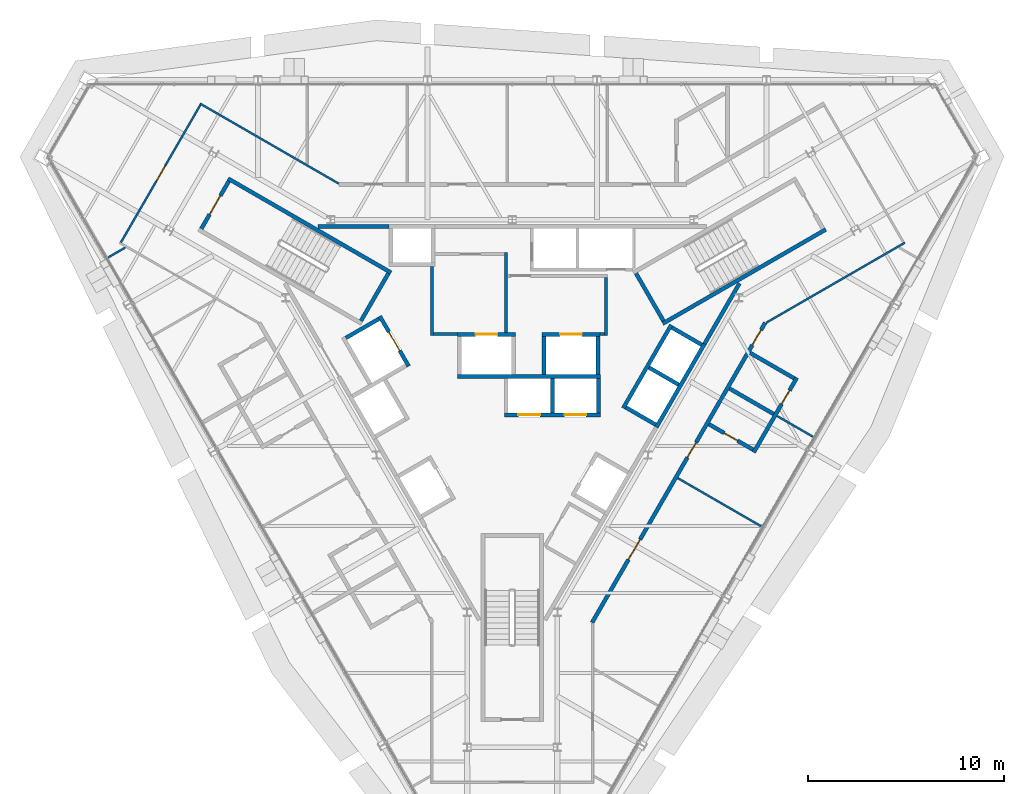
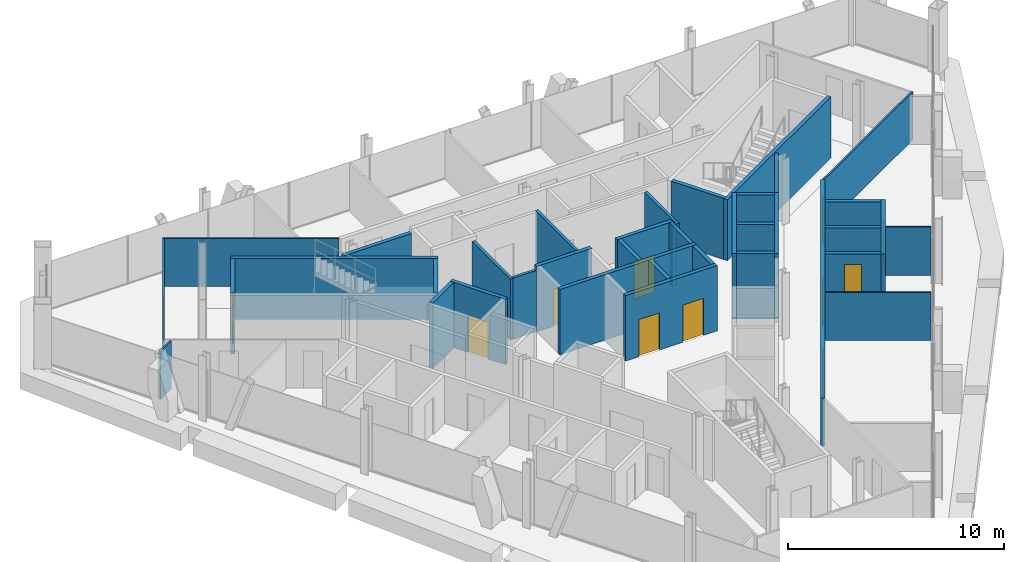
# One storey, part 10 of 13: 38 walls, 12 doors, 12 openings.
"""IFC4 building model written with IfcOpenShell, lengths in metres."""

import ifcopenshell
import ifcopenshell.guid

model = None  # the IFC model being written
_history = None  # IfcOwnerHistory: only IFC2X3 demands one
_inside = {}  # id of a spatial element -> (the spatial element, [elements in it])
_under = {}  # id of a project, library or spatial element -> (it, [spatial elements below it])
_declared = {}  # id of a project -> (the project, [libraries it declares])
_typed = {}  # id of a type object -> (the type object, [elements of that type])
_made_of = {}  # id of a material, layer set ... -> (it, [elements and type objects made of it])


def new_model(schema):
    """Start an empty IFC model of exactly this schema.

    Asked for "IFC4X3", IfcOpenShell would pick the latest addendum, in which some entities
    have other attributes; the version numbers below select the first issue.
    IFC2X3 requires an IfcOwnerHistory on every rooted entity: one is made here for all.
    """
    global model, _history
    if schema == "IFC4X3":
        model = ifcopenshell.file(schema_version=(4, 3, 0, 0))
    else:
        model = ifcopenshell.file(schema=schema)
    _inside.clear()
    _under.clear()
    _declared.clear()
    _typed.clear()
    _made_of.clear()
    _history = None
    if model.schema == "IFC2X3":
        org = make("IfcOrganization", Name="unknown")
        user = make(
            "IfcPersonAndOrganization",
            ThePerson=make("IfcPerson", FamilyName="unknown"),
            TheOrganization=org,
        )
        app = make(
            "IfcApplication",
            ApplicationDeveloper=org,
            Version="unknown",
            ApplicationFullName="unknown",
            ApplicationIdentifier="unknown",
        )
        _history = make(
            "IfcOwnerHistory",
            OwningUser=user,
            OwningApplication=app,
            ChangeAction="ADDED",
            CreationDate=0,
        )
    return model


def make(cls, **values):
    """One entity of the class cls with the attributes given. An attribute that is None is left unset."""
    return model.create_entity(
        cls, **{name: value for name, value in values.items() if value is not None}
    )


def rooted(cls, **values):
    """An entity with a GlobalId (a new one), such as an element, a storey or a relation."""
    return make(cls, GlobalId=ifcopenshell.guid.new(), OwnerHistory=_history, **values)


def si_unit(unit_type, name, prefix=None):
    """IfcSIUnit, for example si_unit("LENGTHUNIT", "METRE", prefix="MILLI")."""
    return make("IfcSIUnit", UnitType=unit_type, Prefix=prefix, Name=name)


def assignment(units):
    """IfcUnitAssignment: the units of a project."""
    return None if units is None else make("IfcUnitAssignment", Units=units)


def point(xyz):
    """IfcCartesianPoint."""
    return None if xyz is None else make("IfcCartesianPoint", Coordinates=xyz)


def direction(xyz):
    """IfcDirection."""
    return None if xyz is None else make("IfcDirection", DirectionRatios=xyz)


def frame(location, z_axis=None, x_axis=None):
    """IfcAxis2Placement3D, a coordinate frame: its origin and axes. An axis left out is left unset."""
    return make(
        "IfcAxis2Placement3D",
        Location=point(location),
        Axis=direction(z_axis),
        RefDirection=direction(x_axis),
    )


def frame_2d(location, x_axis=None):
    """IfcAxis2Placement2D, a coordinate frame in the plane: its origin and x axis."""
    return make(
        "IfcAxis2Placement2D", Location=point(location), RefDirection=direction(x_axis)
    )


def origin():
    """The frame at (0, 0, 0) with its axes left unset."""
    return frame((0.0, 0.0, 0.0))


def place(relative_to, where):
    """IfcLocalPlacement: puts the frame where relative to a parent placement (None: the world)."""
    return make(
        "IfcLocalPlacement", PlacementRelTo=relative_to, RelativePlacement=where
    )


def context(
    kind, dimensions, precision=None, world=None, true_north=None, identifier=None
):
    """IfcGeometricRepresentationContext, for example the 3D "Model" context."""
    return make(
        "IfcGeometricRepresentationContext",
        ContextIdentifier=identifier,
        ContextType=kind,
        CoordinateSpaceDimension=dimensions,
        Precision=precision,
        WorldCoordinateSystem=world,
        TrueNorth=true_north,
    )


def subcontext(parent, identifier, kind, view, scale=None):
    """IfcGeometricRepresentationSubContext, for example "Body" below "Model"."""
    return make(
        "IfcGeometricRepresentationSubContext",
        ContextIdentifier=identifier,
        ContextType=kind,
        ParentContext=parent,
        TargetScale=scale,
        TargetView=view,
    )


def project(units=None, contexts=None):
    """IfcProject with its units and contexts."""
    return rooted(
        "IfcProject",
        Name="project",
        RepresentationContexts=contexts,
        UnitsInContext=assignment(units),
    )


def spatial(cls, under=None, at=None, **own):
    """A site, building, storey or space (cls), placed at a placement, below another one or the project."""
    s = rooted(cls, ObjectPlacement=at, **own)
    if under is not None:
        _under.setdefault(under.id(), (under, []))[1].append(s)
    return s


def profile(cls, at=None, kind="AREA", **sizes):
    """A parametric profile (cls). Its sizes go by their IFC names, for example OverallWidth=200.0."""
    return make(cls, ProfileType=kind, Position=at, **sizes)


def rectangle(**sizes):
    """IfcRectangleProfileDef."""
    return profile("IfcRectangleProfileDef", **sizes)


def extrude(swept, where, along, depth):
    """IfcExtrudedAreaSolid: the profile swept, set in the frame where, extruded along a direction by depth."""
    return make(
        "IfcExtrudedAreaSolid",
        SweptArea=swept,
        Position=where,
        ExtrudedDirection=direction(along),
        Depth=depth,
    )


def shape(context_of_items, identifier, shape_type, items):
    """IfcShapeRepresentation: the items that make up one representation, for example the "Body"."""
    return make(
        "IfcShapeRepresentation",
        ContextOfItems=context_of_items,
        RepresentationIdentifier=identifier,
        RepresentationType=shape_type,
        Items=items,
    )


def material(Name=None, Category=None):
    """IfcMaterial."""
    return make("IfcMaterial", Name=Name, Category=Category)


def layer(
    of_material, thickness, ventilated=None, Name=None, Category=None, Priority=None
):
    """IfcMaterialLayer: one layer of a wall or slab, of a material (None: an air gap)."""
    return make(
        "IfcMaterialLayer",
        Material=of_material,
        LayerThickness=thickness,
        IsVentilated=ventilated,
        Name=Name,
        Category=Category,
        Priority=Priority,
    )


def layer_set(layers, Name=None):
    """IfcMaterialLayerSet."""
    return make("IfcMaterialLayerSet", MaterialLayers=layers, LayerSetName=Name)


def made_of(thing, what):
    """Note that an element or type object is made of a material, layer set ...; save() writes the relation."""
    if what is not None:
        _made_of.setdefault(what.id(), (what, []))[1].append(thing)
    return thing


def type_object(cls, material=None, **own):
    """A type object (cls), such as IfcWallType, which elements share."""
    return made_of(rooted(cls, **own), material)


def element(
    cls,
    number,
    at=None,
    inside=None,
    cuts=None,
    type_object=None,
    material=None,
    context=None,
    identifier="Body",
    shape_type=None,
    held_by="IfcProductDefinitionShape",
    body=None,
    shapes=None,
    **own,
):
    """One element of the class cls, such as IfcWall. Its Tag is "e" and its number.

    at: its placement. inside: the storey or other place that contains it. cuts: it is an
    opening in that element (IfcRelVoidsElement). A single representation is given by context,
    identifier, shape_type and body (its items); several are given by shapes. held_by: the class
    of the entity that holds the representations. save() writes the other relations.
    """
    e = rooted(cls, Tag="e%d" % number, ObjectPlacement=at, **own)
    if body is not None:
        shapes = [shape(context, identifier, shape_type, body)]
    if shapes is not None:
        e.Representation = make(held_by, Representations=shapes)
    if inside is not None:
        _inside.setdefault(inside.id(), (inside, []))[1].append(e)
    if cuts is not None:
        rooted(
            "IfcRelVoidsElement", RelatingBuildingElement=cuts, RelatedOpeningElement=e
        )
    if type_object is not None:
        _typed.setdefault(type_object.id(), (type_object, []))[1].append(e)
    return made_of(e, material)


def fill(opening, filler):
    """IfcRelFillsElement: the door or window that sits in an opening."""
    return rooted(
        "IfcRelFillsElement",
        RelatingOpeningElement=opening,
        RelatedBuildingElement=filler,
    )


def aggregate(whole, parts):
    """IfcRelAggregates: a whole, such as a stair, and the parts it consists of."""
    return rooted("IfcRelAggregates", RelatingObject=whole, RelatedObjects=parts)


def save(model, path):
    """Write the relations noted so far, then the file.

    IfcRelAggregates (storeys below a building ...), IfcRelContainedInSpatialStructure (elements
    in a storey), IfcRelDefinesByType, IfcRelAssociatesMaterial and IfcRelDeclares: one each for
    every whole, place, type object, material and project.
    """
    for whole, parts in _under.values():
        aggregate(whole, parts)
    for where, things in _inside.values():
        rooted(
            "IfcRelContainedInSpatialStructure",
            RelatedElements=things,
            RelatingStructure=where,
        )
    for kind, things in _typed.values():
        rooted("IfcRelDefinesByType", RelatedObjects=things, RelatingType=kind)
    for what, things in _made_of.values():
        rooted("IfcRelAssociatesMaterial", RelatedObjects=things, RelatingMaterial=what)
    for by, libraries in _declared.values():
        rooted("IfcRelDeclares", RelatingContext=by, RelatedDefinitions=libraries)
    model.write(path)


model = new_model("IFC4")

# Units and contexts
model_context = context("Model", 3, precision=1e-05, world=origin(), true_north=direction((0.0, 1.0)))
body_context = subcontext(model_context, "Body", "Model", "MODEL_VIEW")
ifc_project = project(units=[si_unit("LENGTHUNIT", "METRE"), si_unit("AREAUNIT", "SQUARE_METRE"), si_unit("VOLUMEUNIT", "CUBIC_METRE"), si_unit("PLANEANGLEUNIT", "RADIAN"), si_unit("MASSUNIT", "GRAM", prefix="KILO")], contexts=[model_context])

# Site, building, storey
site_placement = place(None, origin())
site = spatial("IfcSite", under=ifc_project, at=site_placement, CompositionType="ELEMENT")
building_placement = place(site_placement, origin())
building = spatial("IfcBuilding", under=site, at=building_placement, Name="Verrane Prism Tower", CompositionType="ELEMENT")
storey_placement = place(building_placement, frame((0.0, 0.0, 210.10009765625)))
storey = spatial("IfcBuildingStorey", under=building, at=storey_placement, Name="L52", CompositionType="ELEMENT", Elevation=210.10009765625)

# Walls
ifc_material_1 = material(Name="Gypsum board partition", Category="other")
ifc_layer_1 = layer(ifc_material_1, 0.199951171875)
ifc_layer_set_1 = layer_set([ifc_layer_1], Name="CW-200 core boundary wall 2 h")
wall_type_1 = type_object("IfcWallType", Name="CW-200 core boundary wall 2 h", PredefinedType="PARTITIONING", material=ifc_layer_set_1)
wall_1_placement = place(storey_placement, frame((-9.907958984375, 7.659912109375, 0.0), z_axis=(0.0, 0.0, 1.0), x_axis=(1.0, 0.0, 0.0)))
element("IfcWall", 1, at=wall_1_placement, inside=storey, type_object=wall_type_1, Name="Core boundary wall CW3-002", PredefinedType="PARTITIONING", context=body_context, shape_type="SweptSolid", body=[
    extrude(rectangle(XDim=3.620849609375, YDim=0.199951171875, at=frame_2d((1.810546875, 0.0))), origin(), (0.0, 0.0, 1.0), 3.449951171875),
])
wall_2_placement = place(storey_placement, frame((9.802978515625, 1.657958984375, 0.0), z_axis=(0.0, 0.0, 1.0), x_axis=(0.499943114462, 0.866058244174, 0.0)))
element("IfcWall", 2, at=wall_2_placement, inside=storey, type_object=wall_type_1, Name="Core boundary wall CW3-008", PredefinedType="PARTITIONING", context=body_context, shape_type="SweptSolid", body=[
    extrude(rectangle(XDim=3.57568359375, YDim=0.199951171875, at=frame_2d((1.787841796875, 0.0))), origin(), (0.0, 0.0, 1.0), 3.449951171875),
])
ifc_material_2 = material(Name="Concrete C40/50", Category="concrete")
ifc_layer_2 = layer(ifc_material_2, 0.199951171875)
ifc_layer_set_2 = layer_set([ifc_layer_2], Name="CW-200 stair core wall concrete C40/50 3 h")
wall_type_2 = type_object("IfcWallType", Name="CW-200 stair core wall concrete C40/50 3 h", PredefinedType="PARTITIONING", material=ifc_layer_set_2)
wall_3_placement = place(storey_placement, frame((7.67822265625, 2.700927734375, 0.0), z_axis=(0.0, 0.0, 1.0), x_axis=(0.866019993635, 0.500009370536, 0.0)))
element("IfcWall", 3, at=wall_3_placement, inside=storey, type_object=wall_type_2, Name="Stair 1 enclosure wall", PredefinedType="PARTITIONING", context=body_context, shape_type="SweptSolid", body=[
    extrude(rectangle(XDim=9.599853515625, YDim=0.199951171875, at=frame_2d((4.7998046875, 0.0))), origin(), (0.0, 0.0, 1.0), 3.449951171875),
])
wall_4_placement = place(storey_placement, frame((7.71484375, 2.837646484375, 0.0), z_axis=(0.0, 0.0, 1.0), x_axis=(-0.500049511043, 0.865996816683, 0.0)))
element("IfcWall", 4, at=wall_4_placement, inside=storey, type_object=wall_type_2, Name="Stair 1 enclosure wall", PredefinedType="PARTITIONING", context=body_context, shape_type="SweptSolid", body=[
    extrude(rectangle(XDim=2.800048828125, YDim=0.199951171875, at=frame_2d((1.39990234375, 0.0))), origin(), (0.0, 0.0, 1.0), 3.449951171875),
])

# Wall, opening, door
wall_5_placement = place(storey_placement, frame((-14.455322265625, 9.96240234375, 0.0), z_axis=(0.0, 0.0, 1.0), x_axis=(-0.500049511043, -0.865996816683, 0.0)))
wall_5 = element("IfcWall", 5, at=wall_5_placement, inside=storey, type_object=wall_type_2, Name="Stair 2 enclosure wall", PredefinedType="PARTITIONING", context=body_context, shape_type="SweptSolid", body=[
    extrude(rectangle(XDim=2.800048828125, YDim=0.199951171875, at=frame_2d((1.39990234375, 0.0))), origin(), (0.0, 0.0, 1.0), 3.449951171875),
])
opening_1_placement = place(wall_5_placement, frame((0.849853515625, 0.0, 0.0)))
opening_1 = element("IfcOpeningElement", 6, at=opening_1_placement, cuts=wall_5, Name="Opening D51501", PredefinedType="OPENING", context=body_context, shape_type="SweptSolid", body=[
    extrude(rectangle(XDim=1.10009765625, YDim=2.10009765625, at=frame_2d((0.550048828125, 1.050048828125))), frame((0.0, 0.10986328125, 0.0), z_axis=(0.0, -1.0, 0.0), x_axis=(1.0, 0.0, 0.0)), (0.0, 0.0, 1.0), 0.219970703125),
])
ifc_material_3 = material(Name="Timber veneered door leaf", Category="wood")
door_type_1 = type_object("IfcDoorType", Name="DR-1100x2100 FD90 single leaf stair", OperationType="NOTDEFINED", PredefinedType="DOOR", material=ifc_material_3)
door_1_placement = place(opening_1_placement, origin())
door_1 = element("IfcDoor", 7, at=door_1_placement, inside=storey, type_object=door_type_1, Name="Stair 2 door", OperationType="SINGLE_SWING_RIGHT", OverallHeight=2.10009765625, OverallWidth=1.10009765625, PredefinedType="DOOR", context=body_context, shape_type="SweptSolid", body=[
    extrude(rectangle(XDim=1.10009765625, YDim=2.10009765625, at=frame_2d((0.550048828125, 1.050048828125))), frame((0.0, 0.02490234375, 0.0), z_axis=(0.0, -1.0, 0.0), x_axis=(1.0, 0.0, 0.0)), (0.0, 0.0, 1.0), 0.050048828125),
])
fill(opening_1, door_1)

# Walls
wall_6_placement = place(storey_placement, frame((-6.17822265625, 5.299072265625, 0.0), z_axis=(0.0, 0.0, 1.0), x_axis=(-0.866019993635, 0.500009370536, 0.0)))
element("IfcWall", 8, at=wall_6_placement, inside=storey, type_object=wall_type_2, Name="Stair 2 enclosure wall", PredefinedType="PARTITIONING", context=body_context, shape_type="SweptSolid", body=[
    extrude(rectangle(XDim=9.599853515625, YDim=0.199951171875, at=frame_2d((4.7998046875, 0.0))), origin(), (0.0, 0.0, 1.0), 3.449951171875),
])
wall_7_placement = place(storey_placement, frame((-6.314697265625, 5.262451171875, 0.0), z_axis=(0.0, 0.0, 1.0), x_axis=(-0.500049511043, -0.865996816683, 0.0)))
element("IfcWall", 9, at=wall_7_placement, inside=storey, type_object=wall_type_2, Name="Stair 2 enclosure wall", PredefinedType="PARTITIONING", context=body_context, shape_type="SweptSolid", body=[
    extrude(rectangle(XDim=2.800048828125, YDim=0.199951171875, at=frame_2d((1.39990234375, 0.0))), origin(), (0.0, 0.0, 1.0), 3.449951171875),
])

# Wall, openings, doors
ifc_material_4 = material(Name="Gypsum board shaft wall assembly", Category="other")
ifc_layer_3 = layer(ifc_material_4, 0.199951171875)
ifc_layer_set_3 = layer_set([ifc_layer_3], Name="HW-200 lift shaft wall 2 h")
wall_type_3 = type_object("IfcWallType", Name="HW-200 lift shaft wall 2 h", PredefinedType="PARTITIONING", material=ifc_layer_set_3)
wall_8_placement = place(storey_placement, frame((-0.405029296875, -1.949951171875, 0.0), z_axis=(0.0, 0.0, 1.0), x_axis=(1.0, 0.0, 0.0)))
wall_8 = element("IfcWall", 10, at=wall_8_placement, inside=storey, type_object=wall_type_3, Name="Lift shaft wall", PredefinedType="PARTITIONING", context=body_context, shape_type="SweptSolid", body=[
    extrude(rectangle(XDim=4.900146484375, YDim=0.199951171875, at=frame_2d((2.4501953125, 0.0))), origin(), (0.0, 0.0, 1.0), 3.699951171875),
])
opening_2_placement = place(wall_8_placement, frame((0.72509765625, 0.0, 0.0)))
opening_2 = element("IfcOpeningElement", 11, at=opening_2_placement, cuts=wall_8, Name="Opening D51503", PredefinedType="OPENING", context=body_context, shape_type="SweptSolid", body=[
    extrude(rectangle(XDim=1.10009765625, YDim=2.10009765625, at=frame_2d((0.550048828125, 1.050048828125))), frame((0.0, 0.10986328125, 0.0), z_axis=(0.0, -1.0, 0.0), x_axis=(1.0, 0.0, 0.0)), (0.0, 0.0, 1.0), 0.219970703125),
])
opening_3_placement = place(wall_8_placement, frame((3.074951171875, 0.0, 0.0)))
opening_3 = element("IfcOpeningElement", 12, at=opening_3_placement, cuts=wall_8, Name="Opening D51504", PredefinedType="OPENING", context=body_context, shape_type="SweptSolid", body=[
    extrude(rectangle(XDim=1.10009765625, YDim=2.10009765625, at=frame_2d((0.550048828125, 1.050048828125))), frame((0.0, 0.10986328125, 0.0), z_axis=(0.0, -1.0, 0.0), x_axis=(1.0, 0.0, 0.0)), (0.0, 0.0, 1.0), 0.219970703125),
])
ifc_material_5 = material(Name="Stainless steel sliding landing door", Category="steel")
door_type_2 = type_object("IfcDoorType", Name="LD-1100x2100 lift landing door FD90 sliding", OperationType="NOTDEFINED", PredefinedType="DOOR", material=ifc_material_5)
door_2_placement = place(opening_2_placement, origin())
door_2 = element("IfcDoor", 13, at=door_2_placement, inside=storey, type_object=door_type_2, Name="Bank B lift 1 landing door", OperationType="SLIDING_TO_LEFT", OverallHeight=2.10009765625, OverallWidth=1.10009765625, PredefinedType="DOOR", context=body_context, shape_type="SweptSolid", body=[
    extrude(rectangle(XDim=1.10009765625, YDim=2.10009765625, at=frame_2d((0.550048828125, 1.050048828125))), frame((0.0, 0.02490234375, 0.0), z_axis=(0.0, -1.0, 0.0), x_axis=(1.0, 0.0, 0.0)), (0.0, 0.0, 1.0), 0.050048828125),
])
fill(opening_2, door_2)
door_3_placement = place(opening_3_placement, origin())
door_3 = element("IfcDoor", 14, at=door_3_placement, inside=storey, type_object=door_type_2, Name="Bank B lift 2 landing door", OperationType="SLIDING_TO_RIGHT", OverallHeight=2.10009765625, OverallWidth=1.10009765625, PredefinedType="DOOR", context=body_context, shape_type="SweptSolid", body=[
    extrude(rectangle(XDim=1.10009765625, YDim=2.10009765625, at=frame_2d((0.550048828125, 1.050048828125))), frame((0.0, 0.02490234375, 0.0), z_axis=(0.0, -1.0, 0.0), x_axis=(1.0, 0.0, 0.0)), (0.0, 0.0, 1.0), 0.050048828125),
])
fill(opening_3, door_3)

# Wall
wall_9_placement = place(storey_placement, frame((-2.784912109375, 0.0, 0.0), z_axis=(0.0, 0.0, 1.0), x_axis=(1.0, 0.0, 0.0)))
element("IfcWall", 15, at=wall_9_placement, inside=storey, type_object=wall_type_3, Name="Lift shaft wall", PredefinedType="PARTITIONING", context=body_context, shape_type="SweptSolid", body=[
    extrude(rectangle(XDim=7.280029296875, YDim=0.199951171875, at=frame_2d((3.64013671875, 0.0))), origin(), (0.0, 0.0, 1.0), 3.699951171875),
])

# Wall, opening, door
wall_10_placement = place(storey_placement, frame((-2.784912109375, 2.14990234375, 0.0), z_axis=(0.0, 0.0, 1.0), x_axis=(1.0, 0.0, 0.0)))
wall_10 = element("IfcWall", 16, at=wall_10_placement, inside=storey, type_object=wall_type_3, Name="Lift shaft wall", PredefinedType="PARTITIONING", context=body_context, shape_type="SweptSolid", body=[
    extrude(rectangle(XDim=2.949951171875, YDim=0.199951171875, at=frame_2d((1.47509765625, 0.0))), origin(), (0.0, 0.0, 1.0), 3.699951171875),
])
opening_4_placement = place(wall_10_placement, frame((0.925048828125, 0.0, 0.0)))
opening_4 = element("IfcOpeningElement", 17, at=opening_4_placement, cuts=wall_10, Name="Opening D51507", PredefinedType="OPENING", context=body_context, shape_type="SweptSolid", body=[
    extrude(rectangle(XDim=1.10009765625, YDim=2.10009765625, at=frame_2d((0.550048828125, 1.050048828125))), frame((0.0, 0.10986328125, 0.0), z_axis=(0.0, -1.0, 0.0), x_axis=(1.0, 0.0, 0.0)), (0.0, 0.0, 1.0), 0.219970703125),
])
door_4_placement = place(opening_4_placement, origin())
door_4 = element("IfcDoor", 18, at=door_4_placement, inside=storey, type_object=door_type_2, Name="Fire service lift 1 landing door", OperationType="SLIDING_TO_LEFT", OverallHeight=2.10009765625, OverallWidth=1.10009765625, PredefinedType="DOOR", context=body_context, shape_type="SweptSolid", body=[
    extrude(rectangle(XDim=1.10009765625, YDim=2.10009765625, at=frame_2d((0.550048828125, 1.050048828125))), frame((0.0, 0.02490234375, 0.0), z_axis=(0.0, -1.0, 0.0), x_axis=(1.0, 0.0, 0.0)), (0.0, 0.0, 1.0), 0.050048828125),
])
fill(opening_4, door_4)

wall_11_placement = place(storey_placement, frame((1.52490234375, 2.14990234375, 0.0), z_axis=(0.0, 0.0, 1.0), x_axis=(1.0, 0.0, 0.0)))
wall_11 = element("IfcWall", 19, at=wall_11_placement, inside=storey, type_object=wall_type_3, Name="Lift shaft wall", PredefinedType="PARTITIONING", context=body_context, shape_type="SweptSolid", body=[
    extrude(rectangle(XDim=2.9501953125, YDim=0.199951171875, at=frame_2d((1.47509765625, 0.0))), origin(), (0.0, 0.0, 1.0), 3.699951171875),
])
opening_5_placement = place(wall_11_placement, frame((0.925048828125, 0.0, 0.0)))
opening_5 = element("IfcOpeningElement", 20, at=opening_5_placement, cuts=wall_11, Name="Opening D51508", PredefinedType="OPENING", context=body_context, shape_type="SweptSolid", body=[
    extrude(rectangle(XDim=1.10009765625, YDim=2.10009765625, at=frame_2d((0.550048828125, 1.050048828125))), frame((0.0, 0.10986328125, 0.0), z_axis=(0.0, -1.0, 0.0), x_axis=(1.0, 0.0, 0.0)), (0.0, 0.0, 1.0), 0.219970703125),
])
door_5_placement = place(opening_5_placement, origin())
door_5 = element("IfcDoor", 21, at=door_5_placement, inside=storey, type_object=door_type_2, Name="Fire service lift 2 landing door", OperationType="SLIDING_TO_RIGHT", OverallHeight=2.10009765625, OverallWidth=1.10009765625, PredefinedType="DOOR", context=body_context, shape_type="SweptSolid", body=[
    extrude(rectangle(XDim=1.10009765625, YDim=2.10009765625, at=frame_2d((0.550048828125, 1.050048828125))), frame((0.0, 0.02490234375, 0.0), z_axis=(0.0, -1.0, 0.0), x_axis=(1.0, 0.0, 0.0)), (0.0, 0.0, 1.0), 0.050048828125),
])
fill(opening_5, door_5)

# Walls
wall_12_placement = place(storey_placement, frame((-8.48046875, 1.968505859375, 0.0), z_axis=(0.0, 0.0, 1.0), x_axis=(0.866000020948, 0.500043961785, 0.0)))
element("IfcWall", 22, at=wall_12_placement, inside=storey, type_object=wall_type_3, Name="Lift shaft wall", PredefinedType="PARTITIONING", context=body_context, shape_type="SweptSolid", body=[
    extrude(rectangle(XDim=1.949951171875, YDim=0.199951171875, at=frame_2d((0.97509765625, 0.0))), origin(), (0.0, 0.0, 1.0), 3.699951171875),
])
wall_13_placement = place(storey_placement, frame((7.351318359375, -2.587158203125, 0.0), z_axis=(0.0, 0.0, 1.0), x_axis=(0.500002801628, 0.866023786258, 0.0)))
element("IfcWall", 23, at=wall_13_placement, inside=storey, type_object=wall_type_3, Name="Lift shaft wall", PredefinedType="PARTITIONING", context=body_context, shape_type="SweptSolid", body=[
    extrude(rectangle(XDim=4.89990234375, YDim=0.199951171875, at=frame_2d((2.449951171875, 0.0))), origin(), (0.0, 0.0, 1.0), 3.699951171875),
])
wall_14_placement = place(storey_placement, frame((5.66259765625, -1.6123046875, 0.0), z_axis=(0.0, 0.0, 1.0), x_axis=(0.49998122708, 0.866036242063, 0.0)))
element("IfcWall", 24, at=wall_14_placement, inside=storey, type_object=wall_type_3, Name="Lift shaft wall", PredefinedType="PARTITIONING", context=body_context, shape_type="SweptSolid", body=[
    extrude(rectangle(XDim=4.900146484375, YDim=0.199951171875, at=frame_2d((2.4501953125, 0.0))), origin(), (0.0, 0.0, 1.0), 3.699951171875),
])
wall_15_placement = place(storey_placement, frame((4.39501953125, -1.85009765625, 0.0), z_axis=(0.0, 0.0, 1.0), x_axis=(0.0, 1.0, 0.0)))
element("IfcWall", 25, at=wall_15_placement, inside=storey, type_object=wall_type_3, Name="Lift shaft wall", PredefinedType="PARTITIONING", context=body_context, shape_type="SweptSolid", body=[
    extrude(rectangle(XDim=1.75, YDim=0.199951171875, at=frame_2d((0.875, 0.0))), origin(), (0.0, 0.0, 1.0), 3.699951171875),
])
wall_16_placement = place(storey_placement, frame((4.375, 0.10009765625, 0.0), z_axis=(0.0, 0.0, 1.0), x_axis=(0.0, 1.0, 0.0)))
element("IfcWall", 26, at=wall_16_placement, inside=storey, type_object=wall_type_3, Name="Lift shaft wall", PredefinedType="PARTITIONING", context=body_context, shape_type="SweptSolid", body=[
    extrude(rectangle(XDim=1.949951171875, YDim=0.199951171875, at=frame_2d((0.97509765625, 0.0))), origin(), (0.0, 0.0, 1.0), 3.699951171875),
])
wall_17_placement = place(storey_placement, frame((2.044921875, -1.85009765625, 0.0), z_axis=(0.0, 0.0, 1.0), x_axis=(0.0, 1.0, 0.0)))
element("IfcWall", 27, at=wall_17_placement, inside=storey, type_object=wall_type_3, Name="Lift shaft wall", PredefinedType="PARTITIONING", context=body_context, shape_type="SweptSolid", body=[
    extrude(rectangle(XDim=1.75, YDim=0.199951171875, at=frame_2d((0.875, 0.0))), origin(), (0.0, 0.0, 1.0), 3.699951171875),
])
wall_18_placement = place(storey_placement, frame((1.625, 0.10009765625, 0.0), z_axis=(0.0, 0.0, 1.0), x_axis=(0.0, 1.0, 0.0)))
element("IfcWall", 28, at=wall_18_placement, inside=storey, type_object=wall_type_3, Name="Lift shaft wall", PredefinedType="PARTITIONING", context=body_context, shape_type="SweptSolid", body=[
    extrude(rectangle(XDim=1.949951171875, YDim=0.199951171875, at=frame_2d((0.97509765625, 0.0))), origin(), (0.0, 0.0, 1.0), 3.699951171875),
])

# Wall, opening, door
wall_19_placement = place(storey_placement, frame((-5.280029296875, 0.525390625, 0.0), z_axis=(0.0, 0.0, 1.0), x_axis=(-0.500037662692, 0.866003658127, 0.0)))
wall_19 = element("IfcWall", 29, at=wall_19_placement, inside=storey, type_object=wall_type_3, Name="Lift shaft wall", PredefinedType="PARTITIONING", context=body_context, shape_type="SweptSolid", body=[
    extrude(rectangle(XDim=2.949951171875, YDim=0.199951171875, at=frame_2d((1.47509765625, 0.0))), origin(), (0.0, 0.0, 1.0), 3.699951171875),
])
opening_6_placement = place(wall_19_placement, frame((0.925048828125, 0.0, 0.0)))
opening_6 = element("IfcOpeningElement", 30, at=opening_6_placement, cuts=wall_19, Name="Opening D51509", PredefinedType="OPENING", context=body_context, shape_type="SweptSolid", body=[
    extrude(rectangle(XDim=1.10009765625, YDim=2.10009765625, at=frame_2d((0.550048828125, 1.050048828125))), frame((0.0, 0.10986328125, 0.0), z_axis=(0.0, -1.0, 0.0), x_axis=(1.0, 0.0, 0.0)), (0.0, 0.0, 1.0), 0.219970703125),
])
door_6_placement = place(opening_6_placement, origin())
door_6 = element("IfcDoor", 31, at=door_6_placement, inside=storey, type_object=door_type_2, Name="Service lift 1 landing door", OperationType="SLIDING_TO_LEFT", OverallHeight=2.10009765625, OverallWidth=1.10009765625, PredefinedType="DOOR", context=body_context, shape_type="SweptSolid", body=[
    extrude(rectangle(XDim=1.10009765625, YDim=2.10009765625, at=frame_2d((0.550048828125, 1.050048828125))), frame((0.0, 0.02490234375, 0.0), z_axis=(0.0, -1.0, 0.0), x_axis=(1.0, 0.0, 0.0)), (0.0, 0.0, 1.0), 0.050048828125),
])
fill(opening_6, door_6)

# Walls
wall_20_placement = place(storey_placement, frame((9.66455078125, 1.61962890625, 0.0), z_axis=(0.0, 0.0, 1.0), x_axis=(-0.866002029911, 0.500040482552, 0.0)))
element("IfcWall", 32, at=wall_20_placement, inside=storey, type_object=wall_type_3, Name="Lift shaft wall", PredefinedType="PARTITIONING", context=body_context, shape_type="SweptSolid", body=[
    extrude(rectangle(XDim=1.749755859375, YDim=0.199951171875, at=frame_2d((0.875, 0.0))), origin(), (0.0, 0.0, 1.0), 3.699951171875),
])
for number, where, z_axis, x_axis, name in (
    (33, (8.48974609375, -0.41552734375, 0.0), (0.0, 0.0, 1.0), (-0.866036909293, 0.499980071345, 0.0), "Lift shaft wall"),
    (34, (7.314697265625, -2.45068359375, 0.0), (0.0, 0.0, 1.0), (-0.866036909293, 0.499980071345, 0.0), "Lift shaft wall"),
):
    element("IfcWall", number, at=place(storey_placement, frame(where, z_axis=z_axis, x_axis=x_axis)), inside=storey, type_object=wall_type_3, Name=name, PredefinedType="PARTITIONING", context=body_context, shape_type="SweptSolid", body=[
        extrude(rectangle(XDim=1.75, YDim=0.199951171875, at=frame_2d((0.875, 0.0))), origin(), (0.0, 0.0, 1.0), 3.699951171875),
    ])
ifc_material_6 = material(Name="Gypsum board partition", Category="other")
ifc_layer_4 = layer(ifc_material_6, 0.14990234375)
ifc_layer_set_4 = layer_set([ifc_layer_4], Name="LF-150 firefighting lobby wall 1 h")
wall_type_4 = type_object("IfcWallType", Name="LF-150 firefighting lobby wall 1 h", PredefinedType="PARTITIONING", material=ifc_layer_set_4)
wall_21_placement = place(storey_placement, frame((-4.10009765625, 2.0849609375, 0.0), z_axis=(0.0, 0.0, 1.0), x_axis=(0.0, 1.0, 0.0)))
element("IfcWall", 35, at=wall_21_placement, inside=storey, type_object=wall_type_4, Name="Firefighting lobby wall LF1-001", PredefinedType="PARTITIONING", context=body_context, shape_type="SweptSolid", body=[
    extrude(rectangle(XDim=3.52294921875, YDim=0.14990234375, at=frame_2d((1.761474609375, 0.0))), origin(), (0.0, 0.0, 1.0), 3.449951171875),
])
wall_22_placement = place(storey_placement, frame((-4.02490234375, 2.159912109375, 0.0), z_axis=(0.0, 0.0, 1.0), x_axis=(1.0, 0.0, 0.0)))
element("IfcWall", 36, at=wall_22_placement, inside=storey, type_object=wall_type_4, Name="Firefighting lobby wall LF1-002", PredefinedType="PARTITIONING", context=body_context, shape_type="SweptSolid", body=[
    extrude(rectangle(XDim=1.23779296875, YDim=0.14990234375, at=frame_2d((0.618896484375, 0.0))), origin(), (0.0, 0.0, 1.0), 3.449951171875),
])
wall_23_placement = place(storey_placement, frame((-0.320068359375, 2.251953125, 0.0), z_axis=(0.0, 0.0, 1.0), x_axis=(0.0, 1.0, 0.0)))
element("IfcWall", 37, at=wall_23_placement, inside=storey, type_object=wall_type_4, Name="Firefighting lobby wall LF1-004", PredefinedType="PARTITIONING", context=body_context, shape_type="SweptSolid", body=[
    extrude(rectangle(XDim=4.06298828125, YDim=0.14990234375, at=frame_2d((2.031494140625, 0.0))), origin(), (0.0, 0.0, 1.0), 3.449951171875),
])
wall_24_placement = place(storey_placement, frame((4.47705078125, 2.159912109375, 0.0), z_axis=(0.0, 0.0, 1.0), x_axis=(1.0, 0.0, 0.0)))
element("IfcWall", 38, at=wall_24_placement, inside=storey, type_object=wall_type_4, Name="Firefighting lobby wall LF1-006", PredefinedType="PARTITIONING", context=body_context, shape_type="SweptSolid", body=[
    extrude(rectangle(XDim=0.238037109375, YDim=0.14990234375, at=frame_2d((0.119140625, 0.0))), origin(), (0.0, 0.0, 1.0), 3.449951171875),
])
wall_25_placement = place(storey_placement, frame((4.7900390625, 2.0849609375, 0.0), z_axis=(0.0, 0.0, 1.0), x_axis=(0.0, 1.0, 0.0)))
element("IfcWall", 39, at=wall_25_placement, inside=storey, type_object=wall_type_4, Name="Firefighting lobby wall LF1-007", PredefinedType="PARTITIONING", context=body_context, shape_type="SweptSolid", body=[
    extrude(rectangle(XDim=2.97998046875, YDim=0.14990234375, at=frame_2d((1.489990234375, 0.0))), origin(), (0.0, 0.0, 1.0), 3.449951171875),
])
ifc_material_7 = material(Name="Gypsum board partition", Category="other")
ifc_layer_5 = layer(ifc_material_7, 0.10009765625)
ifc_layer_set_5 = layer_set([ifc_layer_5], Name="PW-100 room partition")
wall_type_5 = type_object("IfcWallType", Name="PW-100 room partition", PredefinedType="PARTITIONING", material=ifc_layer_set_5)
wall_26_placement = place(storey_placement, frame((-20.603515625, 6.076171875, 0.0), z_axis=(0.0, 0.0, 1.0), x_axis=(0.865855657918, 0.500293893279, 0.0)))
element("IfcWall", 40, at=wall_26_placement, inside=storey, type_object=wall_type_5, Name="Room partition 001", PredefinedType="PARTITIONING", context=body_context, shape_type="SweptSolid", body=[
    extrude(rectangle(XDim=0.99853515625, YDim=0.10009765625, at=frame_2d((0.499267578125, 0.0))), origin(), (0.0, 0.0, 1.0), 2.712890625),
])

# Wall, opening, door
wall_27_placement = place(storey_placement, frame((-19.955078125, 6.84423828125, 0.0), z_axis=(0.0, 0.0, 1.0), x_axis=(0.500415732313, 0.865785247537, 0.0)))
wall_27 = element("IfcWall", 41, at=wall_27_placement, inside=storey, type_object=wall_type_5, Name="Room partition 002", PredefinedType="PARTITIONING", context=body_context, shape_type="SweptSolid", body=[
    extrude(rectangle(XDim=8.09716796875, YDim=0.10009765625, at=frame_2d((4.048583984375, 0.0))), origin(), (0.0, 0.0, 1.0), 2.712890625),
])
opening_7_placement = place(wall_27_placement, frame((3.60009765625, 0.0, 0.0)))
opening_7 = element("IfcOpeningElement", 42, at=opening_7_placement, cuts=wall_27, Name="Opening D51013", PredefinedType="OPENING", context=body_context, shape_type="SweptSolid", body=[
    extrude(rectangle(XDim=0.89990234375, YDim=2.10009765625, at=frame_2d((0.449951171875, 1.050048828125))), frame((0.0, 0.06005859375, 0.0), z_axis=(0.0, -1.0, 0.0), x_axis=(1.0, 0.0, 0.0)), (0.0, 0.0, 1.0), 0.1201171875),
])
ifc_material_8 = material(Name="Timber veneered door leaf", Category="wood")
door_type_3 = type_object("IfcDoorType", Name="DR-900x2100 single leaf unit", OperationType="NOTDEFINED", PredefinedType="DOOR", material=ifc_material_8)
door_7_placement = place(opening_7_placement, origin())
door_7 = element("IfcDoor", 43, at=door_7_placement, inside=storey, type_object=door_type_3, Name="Study door", OperationType="SINGLE_SWING_LEFT", OverallHeight=2.10009765625, OverallWidth=0.89990234375, PredefinedType="DOOR", context=body_context, shape_type="SweptSolid", body=[
    extrude(rectangle(XDim=0.89990234375, YDim=2.10009765625, at=frame_2d((0.449951171875, 1.050048828125))), frame((0.0, 0.02490234375, 0.0), z_axis=(0.0, -1.0, 0.0), x_axis=(1.0, 0.0, 0.0)), (0.0, 0.0, 1.0), 0.050048828125),
])
fill(opening_7, door_7)

# Walls
wall_28_placement = place(storey_placement, frame((-15.92138671875, 13.923095703125, 0.0), z_axis=(0.0, 0.0, 1.0), x_axis=(0.866088973199, -0.499889878377, 0.0)))
element("IfcWall", 44, at=wall_28_placement, inside=storey, type_object=wall_type_5, Name="Room partition 005", PredefinedType="PARTITIONING", context=body_context, shape_type="SweptSolid", body=[
    extrude(rectangle(XDim=8.162841796875, YDim=0.10009765625, at=frame_2d((4.08154296875, 0.0))), origin(), (0.0, 0.0, 1.0), 2.712890625),
])
wall_29_placement = place(storey_placement, frame((8.447021484375, -5.182373046875, 0.0), z_axis=(0.0, 0.0, 1.0), x_axis=(0.866106755222, -0.499859068697, 0.0)))
element("IfcWall", 45, at=wall_29_placement, inside=storey, type_object=wall_type_5, Name="Room partition 030", PredefinedType="PARTITIONING", context=body_context, shape_type="SweptSolid", body=[
    extrude(rectangle(XDim=4.89892578125, YDim=0.10009765625, at=frame_2d((2.449462890625, 0.0))), origin(), (0.0, 0.0, 1.0), 2.712890625),
])
wall_30_placement = place(storey_placement, frame((12.95166015625, 2.744384765625, 0.0), z_axis=(0.0, 0.0, 1.0), x_axis=(0.86608949446, 0.499888975259, 0.0)))
element("IfcWall", 46, at=wall_30_placement, inside=storey, type_object=wall_type_5, Name="Room partition 039", PredefinedType="PARTITIONING", context=body_context, shape_type="SweptSolid", body=[
    extrude(rectangle(XDim=8.164794921875, YDim=0.10009765625, at=frame_2d((4.08251953125, 0.0))), origin(), (0.0, 0.0, 1.0), 2.712890625),
])
wall_31_placement = place(storey_placement, frame((13.510009765625, -2.012451171875, 0.0), z_axis=(0.0, 0.0, 1.0), x_axis=(0.866022890907, -0.500004352405, 0.0)))
element("IfcWall", 47, at=wall_31_placement, inside=storey, type_object=wall_type_5, Name="Room partition 040", PredefinedType="PARTITIONING", context=body_context, shape_type="SweptSolid", body=[
    extrude(rectangle(XDim=2.09912109375, YDim=0.10009765625, at=frame_2d((1.049560546875, 0.0))), origin(), (0.0, 0.0, 1.0), 2.712890625),
])

# Wall, openings, doors
ifc_material_9 = material(Name="Gypsum board partition", Category="other")
ifc_layer_6 = layer(ifc_material_9, 0.199951171875)
ifc_layer_set_6 = layer_set([ifc_layer_6], Name="PW-200 plumbing wall")
wall_type_6 = type_object("IfcWallType", Name="PW-200 plumbing wall", PredefinedType="PARTITIONING", material=ifc_layer_set_6)
wall_32_placement = place(storey_placement, frame((12.903076171875, 2.745361328125, 0.0), z_axis=(0.0, 0.0, 1.0), x_axis=(-0.499999743747, -0.866025551732, 0.0)))
wall_32 = element("IfcWall", 48, at=wall_32_placement, inside=storey, type_object=wall_type_6, Name="Plumbing wall 028", PredefinedType="PARTITIONING", context=body_context, shape_type="SweptSolid", body=[
    extrude(rectangle(XDim=17.65625, YDim=0.199951171875, at=frame_2d((8.828125, 0.0))), origin(), (0.0, 0.0, 1.0), 2.712890625),
])
opening_8_placement = place(wall_32_placement, frame((12.756103515625, 0.0, 0.0)))
opening_8 = element("IfcOpeningElement", 49, at=opening_8_placement, cuts=wall_32, Name="Opening D51002", PredefinedType="OPENING", context=body_context, shape_type="SweptSolid", body=[
    extrude(rectangle(XDim=1.199951171875, YDim=2.10009765625, at=frame_2d((0.60009765625, 1.050048828125))), frame((0.0, 0.10986328125, 0.0), z_axis=(0.0, -1.0, 0.0), x_axis=(1.0, 0.0, 0.0)), (0.0, 0.0, 1.0), 0.219970703125),
])
opening_9_placement = place(wall_32_placement, frame((7.0439453125, 0.0, 0.0)))
opening_9 = element("IfcOpeningElement", 50, at=opening_9_placement, cuts=wall_32, Name="Opening D51003", PredefinedType="OPENING", context=body_context, shape_type="SweptSolid", body=[
    extrude(rectangle(XDim=0.89990234375, YDim=2.10009765625, at=frame_2d((0.449951171875, 1.050048828125))), frame((0.0, 0.10986328125, 0.0), z_axis=(0.0, -1.0, 0.0), x_axis=(1.0, 0.0, 0.0)), (0.0, 0.0, 1.0), 0.219970703125),
])
opening_10_placement = place(wall_32_placement, frame((0.4169921875, 0.0, 0.0)))
opening_10 = element("IfcOpeningElement", 51, at=opening_10_placement, cuts=wall_32, Name="Opening D51005", PredefinedType="OPENING", context=body_context, shape_type="SweptSolid", body=[
    extrude(rectangle(XDim=0.89990234375, YDim=2.10009765625, at=frame_2d((0.449951171875, 1.050048828125))), frame((0.0, 0.10986328125, 0.0), z_axis=(0.0, -1.0, 0.0), x_axis=(1.0, 0.0, 0.0)), (0.0, 0.0, 1.0), 0.219970703125),
])
ifc_material_10 = material(Name="Timber veneered door leaf", Category="wood")
door_type_4 = type_object("IfcDoorType", Name="DR-1200x2100 single leaf unit", OperationType="NOTDEFINED", PredefinedType="DOOR", material=ifc_material_10)
door_8_placement = place(opening_8_placement, origin())
door_8 = element("IfcDoor", 52, at=door_8_placement, inside=storey, type_object=door_type_4, Name="Living And Dining Room door", OperationType="SINGLE_SWING_LEFT", OverallHeight=2.10009765625, OverallWidth=1.199951171875, PredefinedType="DOOR", context=body_context, shape_type="SweptSolid", body=[
    extrude(rectangle(XDim=1.199951171875, YDim=2.10009765625, at=frame_2d((0.60009765625, 1.050048828125))), frame((0.0, 0.02490234375, 0.0), z_axis=(0.0, -1.0, 0.0), x_axis=(1.0, 0.0, 0.0)), (0.0, 0.0, 1.0), 0.050048828125),
])
fill(opening_8, door_8)
ifc_material_11 = material(Name="Timber veneered door leaf", Category="wood")
door_type_5 = type_object("IfcDoorType", Name="DR-900x2100 single leaf inner", OperationType="NOTDEFINED", PredefinedType="DOOR", material=ifc_material_11)
door_9_placement = place(opening_9_placement, origin())
door_9 = element("IfcDoor", 53, at=door_9_placement, inside=storey, type_object=door_type_5, Name="Bedroom door", OperationType="SINGLE_SWING_RIGHT", OverallHeight=2.10009765625, OverallWidth=0.89990234375, PredefinedType="DOOR", context=body_context, shape_type="SweptSolid", body=[
    extrude(rectangle(XDim=0.89990234375, YDim=2.10009765625, at=frame_2d((0.449951171875, 1.050048828125))), frame((0.0, 0.02490234375, 0.0), z_axis=(0.0, -1.0, 0.0), x_axis=(1.0, 0.0, 0.0)), (0.0, 0.0, 1.0), 0.050048828125),
])
fill(opening_9, door_9)
door_10_placement = place(opening_10_placement, origin())
door_10 = element("IfcDoor", 54, at=door_10_placement, inside=storey, type_object=door_type_5, Name="Bedroom door", OperationType="SINGLE_SWING_RIGHT", OverallHeight=2.10009765625, OverallWidth=0.89990234375, PredefinedType="DOOR", context=body_context, shape_type="SweptSolid", body=[
    extrude(rectangle(XDim=0.89990234375, YDim=2.10009765625, at=frame_2d((0.449951171875, 1.050048828125))), frame((0.0, 0.02490234375, 0.0), z_axis=(0.0, -1.0, 0.0), x_axis=(1.0, 0.0, 0.0)), (0.0, 0.0, 1.0), 0.050048828125),
])
fill(opening_10, door_10)

# Wall, opening, door
wall_33_placement = place(storey_placement, frame((10.034912109375, -2.431396484375, 0.0), z_axis=(0.0, 0.0, 1.0), x_axis=(0.866028930478, -0.499993891537, 0.0)))
wall_33 = element("IfcWall", 55, at=wall_33_placement, inside=storey, type_object=wall_type_6, Name="Plumbing wall 034", PredefinedType="PARTITIONING", context=body_context, shape_type="SweptSolid", body=[
    extrude(rectangle(XDim=2.59521484375, YDim=0.199951171875, at=frame_2d((1.297607421875, 0.0))), origin(), (0.0, 0.0, 1.0), 2.712890625),
])
opening_11_placement = place(wall_33_placement, frame((0.89501953125, 0.0, 0.0)))
opening_11 = element("IfcOpeningElement", 56, at=opening_11_placement, cuts=wall_33, Name="Opening D51004", PredefinedType="OPENING", context=body_context, shape_type="SweptSolid", body=[
    extrude(rectangle(XDim=0.800048828125, YDim=2.10009765625, at=frame_2d((0.39990234375, 1.050048828125))), frame((0.0, 0.10986328125, 0.0), z_axis=(0.0, -1.0, 0.0), x_axis=(1.0, 0.0, 0.0)), (0.0, 0.0, 1.0), 0.219970703125),
])
ifc_material_12 = material(Name="Timber veneered door leaf", Category="wood")
door_type_6 = type_object("IfcDoorType", Name="DR-800x2100 single leaf bath", OperationType="NOTDEFINED", PredefinedType="DOOR", material=ifc_material_12)
door_11_placement = place(opening_11_placement, origin())
door_11 = element("IfcDoor", 57, at=door_11_placement, inside=storey, type_object=door_type_6, Name="Bathroom door", OperationType="SINGLE_SWING_RIGHT", OverallHeight=2.10009765625, OverallWidth=0.800048828125, PredefinedType="DOOR", context=body_context, shape_type="SweptSolid", body=[
    extrude(rectangle(XDim=0.800048828125, YDim=2.10009765625, at=frame_2d((0.39990234375, 1.050048828125))), frame((0.0, 0.02490234375, 0.0), z_axis=(0.0, -1.0, 0.0), x_axis=(1.0, 0.0, 0.0)), (0.0, 0.0, 1.0), 0.050048828125),
])
fill(opening_11, door_11)

# Walls
for number, where, z_axis, x_axis, name in (
    (58, (11.0849609375, -0.612548828125, 0.0), (0.0, 0.0, 1.0), (0.866046148833, -0.4999640668, 0.0), "Plumbing wall 036"),
    (59, (12.135009765625, 1.20556640625, 0.0), (0.0, 0.0, 1.0), (0.866005410122, -0.500034628441, 0.0), "Plumbing wall 037"),
):
    element("IfcWall", number, at=place(storey_placement, frame(where, z_axis=z_axis, x_axis=x_axis)), inside=storey, type_object=wall_type_6, Name=name, PredefinedType="PARTITIONING", context=body_context, shape_type="SweptSolid", body=[
        extrude(rectangle(XDim=2.594970703125, YDim=0.199951171875, at=frame_2d((1.29736328125, 0.0))), origin(), (0.0, 0.0, 1.0), 2.712890625),
    ])

# Wall, opening, door
wall_34_placement = place(storey_placement, frame((12.319091796875, -3.86572265625, 0.0), z_axis=(0.0, 0.0, 1.0), x_axis=(0.50001224981, 0.866018331238, 0.0)))
wall_34 = element("IfcWall", 60, at=wall_34_placement, inside=storey, type_object=wall_type_6, Name="Plumbing wall 038", PredefinedType="PARTITIONING", context=body_context, shape_type="SweptSolid", body=[
    extrude(rectangle(XDim=4.39990234375, YDim=0.199951171875, at=frame_2d((2.199951171875, 0.0))), origin(), (0.0, 0.0, 1.0), 2.712890625),
])
opening_12_placement = place(wall_34_placement, frame((2.85009765625, 0.0, 0.0)))
opening_12 = element("IfcOpeningElement", 61, at=opening_12_placement, cuts=wall_34, Name="Opening D51006", PredefinedType="OPENING", context=body_context, shape_type="SweptSolid", body=[
    extrude(rectangle(XDim=0.800048828125, YDim=2.10009765625, at=frame_2d((0.39990234375, 1.050048828125))), frame((0.0, 0.10986328125, 0.0), z_axis=(0.0, -1.0, 0.0), x_axis=(1.0, 0.0, 0.0)), (0.0, 0.0, 1.0), 0.219970703125),
])
door_12_placement = place(opening_12_placement, origin())
door_12 = element("IfcDoor", 62, at=door_12_placement, inside=storey, type_object=door_type_6, Name="Bathroom door", OperationType="SINGLE_SWING_RIGHT", OverallHeight=2.10009765625, OverallWidth=0.800048828125, PredefinedType="DOOR", context=body_context, shape_type="SweptSolid", body=[
    extrude(rectangle(XDim=0.800048828125, YDim=2.10009765625, at=frame_2d((0.39990234375, 1.050048828125))), frame((0.0, 0.02490234375, 0.0), z_axis=(0.0, -1.0, 0.0), x_axis=(1.0, 0.0, 0.0)), (0.0, 0.0, 1.0), 0.050048828125),
])
fill(opening_12, door_12)

save(model, "model.ifc")
